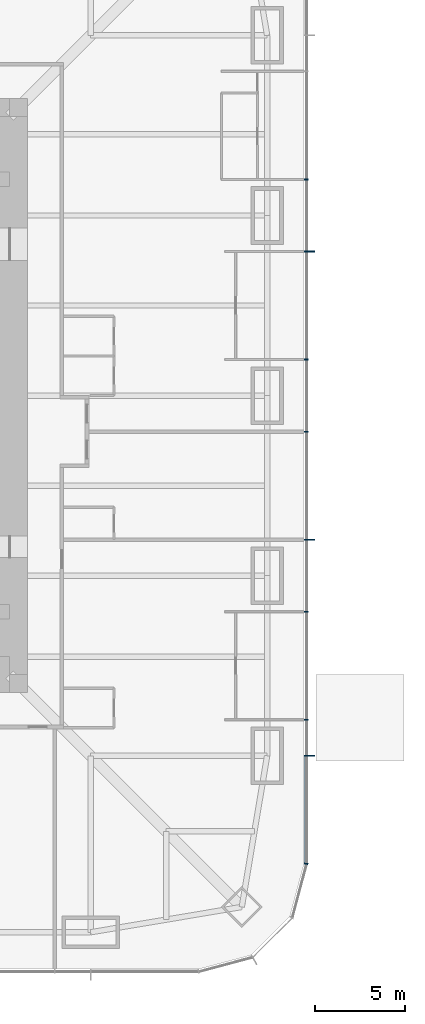
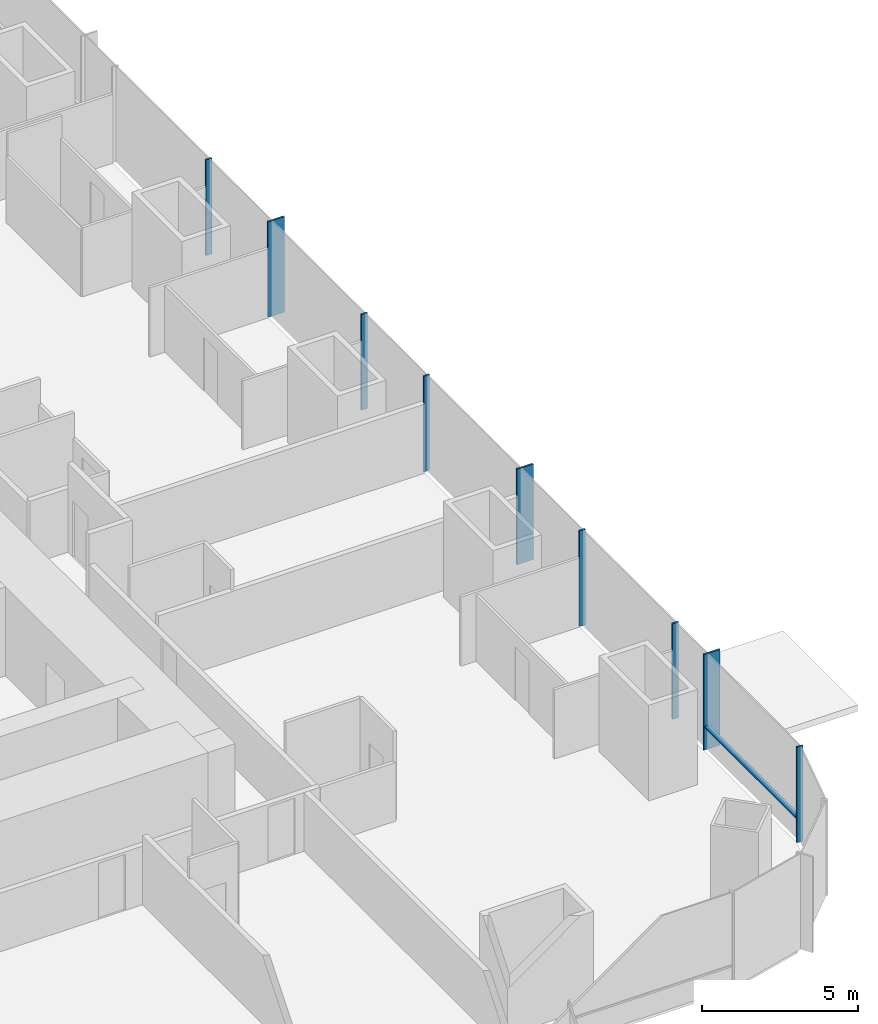
# One storey, part 9 of 20: 10 members, 1 element without a shape of its own.
"""IFC4 building model written with IfcOpenShell, lengths in metres."""

from ifc_helpers import new_model, si_unit, direction, frame, origin, origin_2d, place, context, subcontext, project, spatial, rectangle, extrude, material, material_profile, profile_set, type_object, element, aggregate, save


model = new_model("IFC4")

# Units and contexts
model_context = context("Model", 3, precision=1e-05, world=origin(), true_north=direction((0.0, 1.0)))
body_context = subcontext(model_context, "Body", "Model", "MODEL_VIEW")
ifc_project = project(units=[si_unit("LENGTHUNIT", "METRE"), si_unit("AREAUNIT", "SQUARE_METRE"), si_unit("VOLUMEUNIT", "CUBIC_METRE"), si_unit("PLANEANGLEUNIT", "RADIAN"), si_unit("MASSUNIT", "GRAM", prefix="KILO")], contexts=[model_context])

# Site, building, storey
site_placement = place(None, origin())
site = spatial("IfcSite", under=ifc_project, at=site_placement, CompositionType="ELEMENT")
building_placement = place(site_placement, origin())
building = spatial("IfcBuilding", under=site, at=building_placement, Name="Khuree Lantern Residences", CompositionType="ELEMENT")
storey_placement = place(building_placement, frame((0.0, 0.0, 24.75)))
storey = spatial("IfcBuildingStorey", under=building, at=storey_placement, Name="L05", CompositionType="ELEMENT", Elevation=24.75)

# Curtain wall, members
ifc_material = material(Name="Bronze anodised aluminium", Category="aluminium")
curtain_wall_type = type_object("IfcCurtainWallType", Name="CW-T1 TOWER FACE CURTAIN WALL", PredefinedType="USERDEFINED", material=ifc_material)
curtain_wall_placement = place(storey_placement, origin())
curtain_wall = element("IfcCurtainWall", 1, at=curtain_wall_placement, inside=storey, type_object=curtain_wall_type, Name="L05 EAST FACE CURTAIN WALL", ObjectType="Stick-built curtain wall", PredefinedType="USERDEFINED")
ifc_material_profile_1 = material_profile(ifc_material, rectangle(XDim=0.06494140625, YDim=0.60009765625, at=origin_2d()), Name="F1 65X600")
ifc_profile_set_1 = profile_set([ifc_material_profile_1], Name="Bronze anodised aluminium")
member_type_1 = type_object("IfcMemberType", Name="F1 BRONZE FIN MULLION TOWER 65X600", PredefinedType="MULLION", material=ifc_profile_set_1)
member_1_placement = place(storey_placement, frame((32.14990234375, -20.0, 0.0), z_axis=(0.0, 0.0, 1.0), x_axis=(0.0, 1.0, 0.0)))
member_1 = element("IfcMember", 2, at=member_1_placement, type_object=member_type_1, Name="L05 EAST FACE FIN MULLION 5", PredefinedType="MULLION", context=body_context, shape_type="SweptSolid", body=[
    extrude(rectangle(XDim=0.06494140625, YDim=0.60009765625, at=origin_2d()), origin(), (0.0, 0.0, 1.0), 3.75),
])
member_2_placement = place(storey_placement, frame((32.14990234375, -8.0, 0.0), z_axis=(0.0, 0.0, 1.0), x_axis=(0.0, 1.0, 0.0)))
member_2 = element("IfcMember", 3, at=member_2_placement, type_object=member_type_1, Name="L05 EAST FACE FIN MULLION 8", PredefinedType="MULLION", context=body_context, shape_type="SweptSolid", body=[
    extrude(rectangle(XDim=0.06494140625, YDim=0.60009765625, at=origin_2d()), origin(), (0.0, 0.0, 1.0), 3.75),
])
member_3_placement = place(storey_placement, frame((32.14990234375, 8.0, 0.0), z_axis=(0.0, 0.0, 1.0), x_axis=(0.0, 1.0, 0.0)))
member_3 = element("IfcMember", 4, at=member_3_placement, type_object=member_type_1, Name="L05 EAST FACE FIN MULLION 11", PredefinedType="MULLION", context=body_context, shape_type="SweptSolid", body=[
    extrude(rectangle(XDim=0.06494140625, YDim=0.60009765625, at=origin_2d()), origin(), (0.0, 0.0, 1.0), 3.75),
])
ifc_material_profile_2 = material_profile(ifc_material, rectangle(XDim=0.06494140625, YDim=0.219970703125, at=origin_2d()), Name="M1 65X220")
ifc_profile_set_2 = profile_set([ifc_material_profile_2], Name="Bronze anodised aluminium")
member_type_2 = type_object("IfcMemberType", Name="M1 BRONZE MULLION TOWER 65X220", PredefinedType="MULLION", material=ifc_profile_set_2)
member_4_placement = place(storey_placement, frame((31.961669921875, -25.994873046875, 0.0), z_axis=(0.0, 0.0, 1.0), x_axis=(0.130526257387, 0.991444852794, 0.0)))
member_4 = element("IfcMember", 5, at=member_4_placement, type_object=member_type_2, Name="L05 EAST FACE MULLION 4", PredefinedType="MULLION", context=body_context, shape_type="SweptSolid", body=[
    extrude(rectangle(XDim=0.06494140625, YDim=0.219970703125, at=origin_2d()), origin(), (0.0, 0.0, 1.0), 3.75),
])
member_5_placement = place(storey_placement, frame((31.9599609375, -18.0, 0.0), z_axis=(0.0, 0.0, 1.0), x_axis=(0.0, 1.0, 0.0)))
member_5 = element("IfcMember", 6, at=member_5_placement, type_object=member_type_2, Name="L05 EAST FACE MULLION 6", PredefinedType="MULLION", context=body_context, shape_type="SweptSolid", body=[
    extrude(rectangle(XDim=0.06494140625, YDim=0.219970703125, at=origin_2d()), origin(), (0.0, 0.0, 1.0), 3.75),
])
member_6_placement = place(storey_placement, frame((31.9599609375, -12.0, 0.0), z_axis=(0.0, 0.0, 1.0), x_axis=(0.0, 1.0, 0.0)))
member_6 = element("IfcMember", 7, at=member_6_placement, type_object=member_type_2, Name="L05 EAST FACE MULLION 7", PredefinedType="MULLION", context=body_context, shape_type="SweptSolid", body=[
    extrude(rectangle(XDim=0.06494140625, YDim=0.219970703125, at=origin_2d()), origin(), (0.0, 0.0, 1.0), 3.75),
])
member_7_placement = place(storey_placement, frame((31.9599609375, -2.0, 0.0), z_axis=(0.0, 0.0, 1.0), x_axis=(0.0, 1.0, 0.0)))
member_7 = element("IfcMember", 8, at=member_7_placement, type_object=member_type_2, Name="L05 EAST FACE MULLION 9", PredefinedType="MULLION", context=body_context, shape_type="SweptSolid", body=[
    extrude(rectangle(XDim=0.06494140625, YDim=0.219970703125, at=origin_2d()), origin(), (0.0, 0.0, 1.0), 3.75),
])
member_8_placement = place(storey_placement, frame((31.9599609375, 2.0, 0.0), z_axis=(0.0, 0.0, 1.0), x_axis=(0.0, 1.0, 0.0)))
member_8 = element("IfcMember", 9, at=member_8_placement, type_object=member_type_2, Name="L05 EAST FACE MULLION 10", PredefinedType="MULLION", context=body_context, shape_type="SweptSolid", body=[
    extrude(rectangle(XDim=0.06494140625, YDim=0.219970703125, at=origin_2d()), origin(), (0.0, 0.0, 1.0), 3.75),
])
member_9_placement = place(storey_placement, frame((31.9599609375, 12.0, 0.0), z_axis=(0.0, 0.0, 1.0), x_axis=(0.0, 1.0, 0.0)))
member_9 = element("IfcMember", 10, at=member_9_placement, type_object=member_type_2, Name="L05 EAST FACE MULLION 12", PredefinedType="MULLION", context=body_context, shape_type="SweptSolid", body=[
    extrude(rectangle(XDim=0.06494140625, YDim=0.219970703125, at=origin_2d()), origin(), (0.0, 0.0, 1.0), 3.75),
])
ifc_material_profile_3 = material_profile(ifc_material, rectangle(XDim=0.179931640625, YDim=0.06494140625, at=origin_2d()), Name="T1 180X65")
ifc_profile_set_3 = profile_set([ifc_material_profile_3], Name="Bronze anodised aluminium")
member_type_3 = type_object("IfcMemberType", Name="TRANSOM T1 TOWER 180X65", PredefinedType="USERDEFINED", material=ifc_profile_set_3)
member_10_placement = place(storey_placement, frame((31.969970703125, -25.951416015625, 0.89990234375), z_axis=(0.0, 1.0, 0.0), x_axis=(-1.0, 0.0, 0.0)))
member_10 = element("IfcMember", 11, at=member_10_placement, type_object=member_type_3, Name="L05 EAST FACE TRANSOM 4.1", ObjectType="Transom", PredefinedType="USERDEFINED", context=body_context, shape_type="SweptSolid", body=[
    extrude(rectangle(XDim=0.179931640625, YDim=0.06494140625, at=origin_2d()), origin(), (0.0, 0.0, 1.0), 5.9189453125),
])
aggregate(curtain_wall, [member_4, member_1, member_5, member_6, member_2, member_7, member_8, member_3, member_9, member_10])

save(model, "model.ifc")
